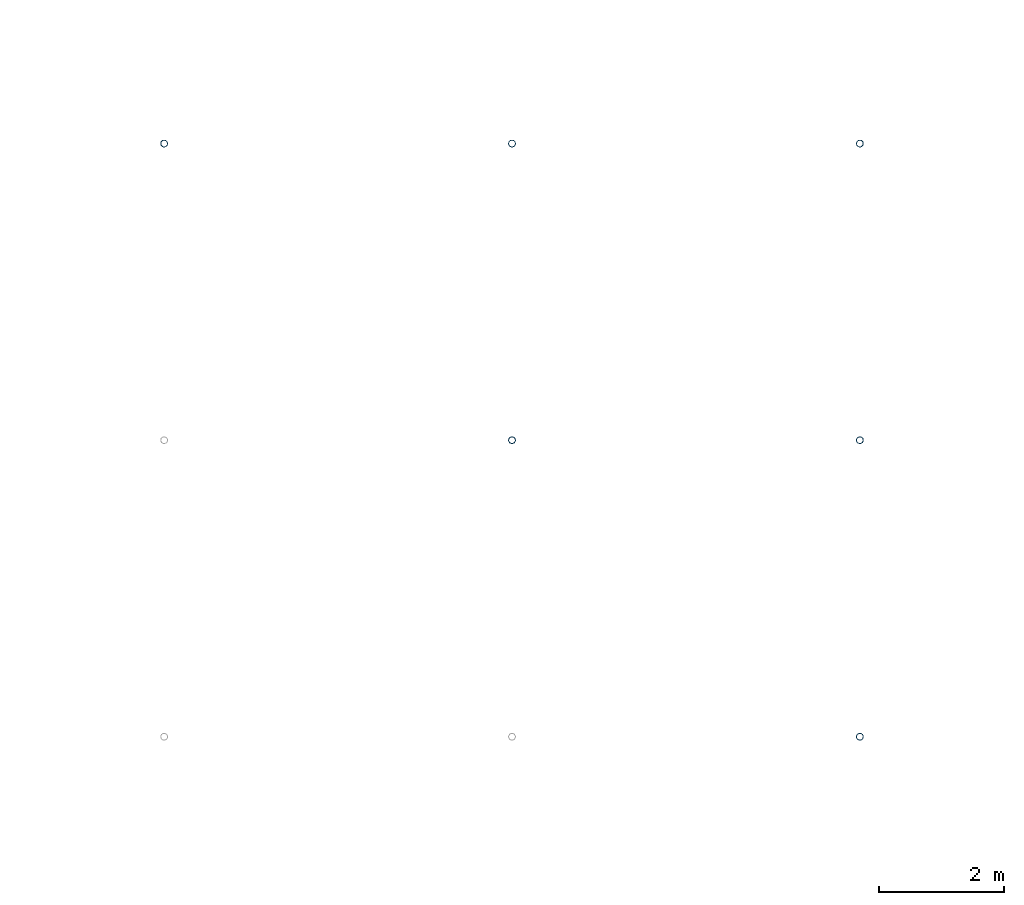
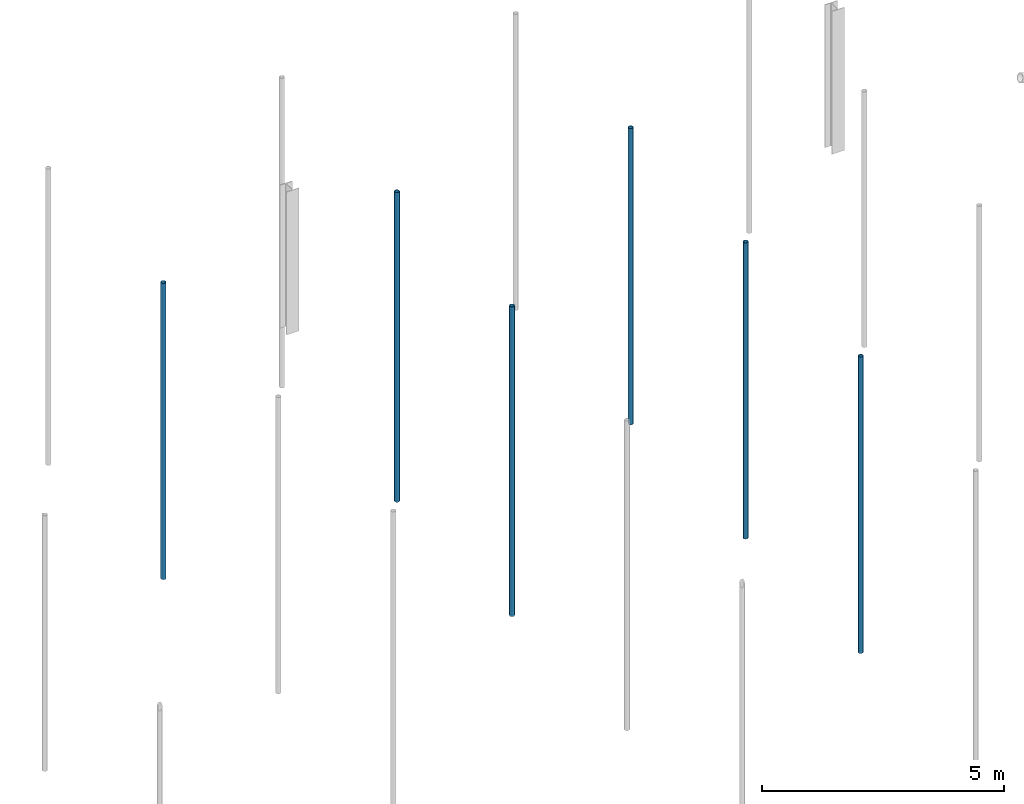
# One storey, part 14 of 50: 6 members.
"""IFC4 building model written with IfcOpenShell, lengths in metres."""

from ifc_helpers import new_model, si_unit, direction, frame, origin, origin_2d, place, context, subcontext, project, spatial, hollow_circle, extrude, material, material_profile, profile_set, type_object, element, save


model = new_model("IFC4")

# Units and contexts
model_context = context("Model", 3, precision=1e-05, world=origin(), true_north=direction((0.0, 1.0)))
body_context = subcontext(model_context, "Body", "Model", "MODEL_VIEW")
ifc_project = project(units=[si_unit("LENGTHUNIT", "METRE"), si_unit("AREAUNIT", "SQUARE_METRE"), si_unit("VOLUMEUNIT", "CUBIC_METRE"), si_unit("PLANEANGLEUNIT", "RADIAN"), si_unit("MASSUNIT", "GRAM", prefix="KILO")], contexts=[model_context])

# Site, building, storey
site_placement = place(None, origin())
site = spatial("IfcSite", under=ifc_project, at=site_placement, CompositionType="ELEMENT")
building_placement = place(site_placement, origin())
building = spatial("IfcBuilding", under=site, at=building_placement, Name="Elbe Cascade School", CompositionType="ELEMENT")
storey_placement = place(building_placement, frame((0.0, 0.0, 15.300048828125)))
storey = spatial("IfcBuildingStorey", under=building, at=storey_placement, Name="L04", CompositionType="ELEMENT", Elevation=15.300048828125)

# Members
ifc_material = material(Name="Steel S355J2H", Category="steel")
ifc_material_profile = material_profile(ifc_material, hollow_circle(Radius=0.05712890625, WallThickness=0.00634765625, at=origin_2d()), Name="CHS 114.3x6.3")
ifc_profile_set = profile_set([ifc_material_profile], Name="Steel S355J2H")
member_type = type_object("IfcMemberType", Name="Hall tie hanger CHS 114.3x6.3", PredefinedType="POST", material=ifc_profile_set)
member_1_placement = place(storey_placement, frame((39.571533203125, 55.25, -1.623779296875), z_axis=(0.0, 0.0, 1.0), x_axis=(1.0, 0.0, 0.0)))
element("IfcMember", 1, at=member_1_placement, inside=storey, type_object=member_type, Name="Hall tie hanger CHS 114.3x6.3 M7", PredefinedType="POST", context=body_context, shape_type="SweptSolid", body=[
    extrude(hollow_circle(Radius=0.05712890625, WallThickness=0.00634765625, at=origin_2d()), origin(), (0.0, 0.0, 1.0), 7.468505859375),
])
member_2_placement = place(storey_placement, frame((34.0, 60.0, -1.623779296875), z_axis=(0.0, 0.0, 1.0), x_axis=(1.0, 0.0, 0.0)))
element("IfcMember", 2, at=member_2_placement, inside=storey, type_object=member_type, Name="Hall tie hanger CHS 114.3x6.3 M7", PredefinedType="POST", context=body_context, shape_type="SweptSolid", body=[
    extrude(hollow_circle(Radius=0.05712890625, WallThickness=0.00634765625, at=origin_2d()), origin(), (0.0, 0.0, 1.0), 7.80615234375),
])
for number, where, z_axis, x_axis, name in (
    (3, (39.571533203125, 60.0, -1.623779296875), (0.0, 0.0, 1.0), (1.0, 0.0, 0.0), "Hall tie hanger CHS 114.3x6.3 M7"),
    (4, (28.428466796875, 64.75, -1.623779296875), (0.0, 0.0, 1.0), (1.0, 0.0, 0.0), "Hall tie hanger CHS 114.3x6.3 M7"),
):
    element("IfcMember", number, at=place(storey_placement, frame(where, z_axis=z_axis, x_axis=x_axis)), inside=storey, type_object=member_type, Name=name, PredefinedType="POST", context=body_context, shape_type="SweptSolid", body=[
        extrude(hollow_circle(Radius=0.05712890625, WallThickness=0.00634765625, at=origin_2d()), origin(), (0.0, 0.0, 1.0), 7.468505859375),
    ])
member_3_placement = place(storey_placement, frame((34.0, 64.75, -1.623779296875), z_axis=(0.0, 0.0, 1.0), x_axis=(1.0, 0.0, 0.0)))
element("IfcMember", 5, at=member_3_placement, inside=storey, type_object=member_type, Name="Hall tie hanger CHS 114.3x6.3 M7", PredefinedType="POST", context=body_context, shape_type="SweptSolid", body=[
    extrude(hollow_circle(Radius=0.05712890625, WallThickness=0.00634765625, at=origin_2d()), origin(), (0.0, 0.0, 1.0), 7.80615234375),
])
member_4_placement = place(storey_placement, frame((39.571533203125, 64.75, -1.623779296875), z_axis=(0.0, 0.0, 1.0), x_axis=(1.0, 0.0, 0.0)))
element("IfcMember", 6, at=member_4_placement, inside=storey, type_object=member_type, Name="Hall tie hanger CHS 114.3x6.3 M7", PredefinedType="POST", context=body_context, shape_type="SweptSolid", body=[
    extrude(hollow_circle(Radius=0.05712890625, WallThickness=0.00634765625, at=origin_2d()), origin(), (0.0, 0.0, 1.0), 7.468505859375),
])

save(model, "model.ifc")
